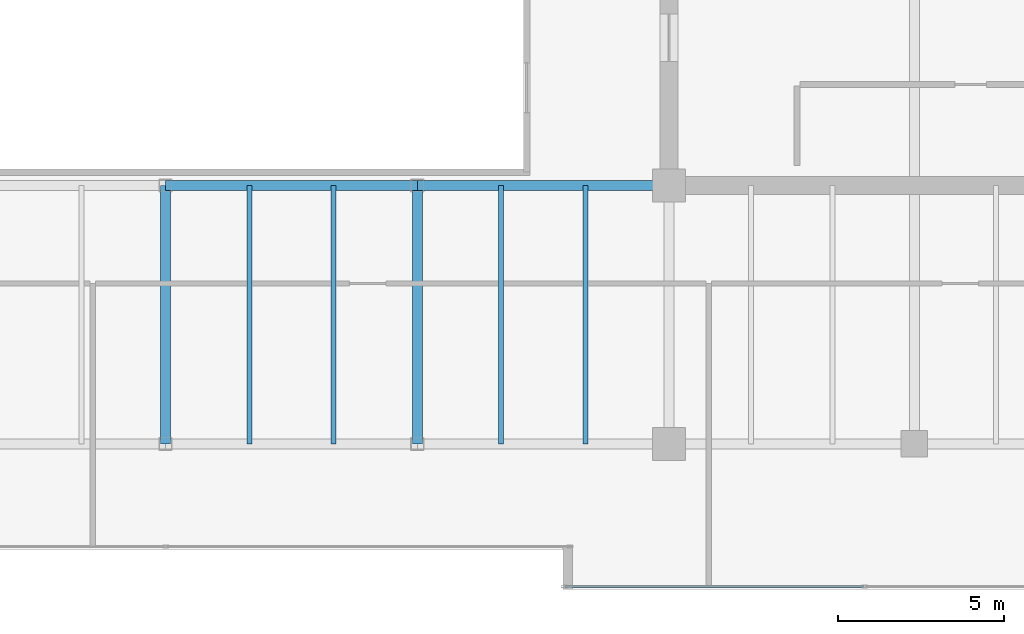
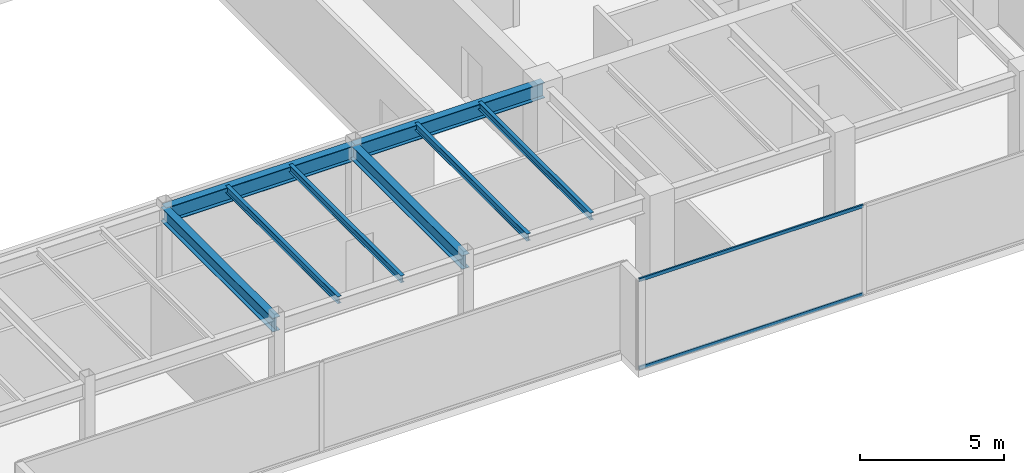
# One storey, part 12 of 33: 8 beams, 2 members, 1 element without a shape of its own.
"""IFC4 building model written with IfcOpenShell, lengths in metres."""

from ifc_helpers import new_model, si_unit, direction, frame, origin, origin_2d, place, context, subcontext, project, spatial, hollow_rectangle, i_section, extrude, source, transform, mapped, material, layer, layer_set, material_profile, profile_set, type_object, type_shapes, element, aggregate, save


model = new_model("IFC4")

# Units and contexts
model_context = context("Model", 3, precision=1e-05, world=origin(), true_north=direction((0.0, 1.0)))
body_context = subcontext(model_context, "Body", "Model", "MODEL_VIEW")
ifc_project = project(units=[si_unit("LENGTHUNIT", "METRE"), si_unit("AREAUNIT", "SQUARE_METRE"), si_unit("VOLUMEUNIT", "CUBIC_METRE"), si_unit("PLANEANGLEUNIT", "RADIAN"), si_unit("MASSUNIT", "GRAM", prefix="KILO")], contexts=[model_context])

# Site, building, storey
site_placement = place(None, origin())
site = spatial("IfcSite", under=ifc_project, at=site_placement, CompositionType="ELEMENT")
building_placement = place(site_placement, origin())
building = spatial("IfcBuilding", under=site, at=building_placement, Name="Haelvirn Gate Laboratories", CompositionType="ELEMENT")
storey_placement = place(building_placement, frame((0.0, 0.0, 217.800048828125)))
storey = spatial("IfcBuildingStorey", under=building, at=storey_placement, Name="L52", CompositionType="ELEMENT", Elevation=217.800048828125)

# Beams
ifc_material_1 = material(Name="Steel SM355", Category="steel")
ifc_material_profile_1 = material_profile(ifc_material_1, i_section(OverallWidth=0.14990234375, OverallDepth=0.300048828125, WebThickness=0.006591796875, FlangeThickness=0.009033203125, at=origin_2d()), Name="H-300x150x6.5x9")
ifc_profile_set_1 = profile_set([ifc_material_profile_1], Name="Steel SM355")
beam_type_1 = type_object("IfcBeamType", Name="BM-J-300", PredefinedType="JOIST", material=ifc_profile_set_1)
shared_shape_1 = source(origin(), body_context, "Body", "SweptSolid", [
    extrude(i_section(OverallWidth=0.14990234375, OverallDepth=0.300048828125, WebThickness=0.006591796875, FlangeThickness=0.009033203125, at=origin_2d()), origin(), (0.0, 0.0, 1.0), 7.800048828125),
])
type_shapes(beam_type_1, [shared_shape_1])
for number, where, z_axis, x_axis, name in (
    (1, (39.929931640625, 7.0, 3.64990234375), (0.0, 1.0, 0.0), (-1.0, 0.0, 0.0), "L52 Composite Lab Joist South X39.93"),
    (2, (42.469970703125, 7.0, 3.64990234375), (0.0, 1.0, 0.0), (-1.0, 0.0, 0.0), "L52 Composite Lab Joist South X42.47"),
    (3, (47.530029296875, 7.0, 3.64990234375), (0.0, 1.0, 0.0), (-1.0, 0.0, 0.0), "L52 Composite Lab Joist South X47.53"),
    (4, (50.070068359375, 7.0, 3.64990234375), (0.0, 1.0, 0.0), (-1.0, 0.0, 0.0), "L52 Composite Lab Joist South X50.07"),
):
    element("IfcBeam", number, at=place(storey_placement, frame(where, z_axis=z_axis, x_axis=x_axis)), inside=storey, type_object=beam_type_1, Name=name, PredefinedType="JOIST", context=body_context, shape_type="MappedRepresentation", body=[
        mapped(shared_shape_1, transform((0.0, 0.0, 0.0), scale=1.0)),
    ])
ifc_material_profile_2 = material_profile(ifc_material_1, i_section(OverallWidth=0.300048828125, OverallDepth=0.587890625, WebThickness=0.011962890625, FlangeThickness=0.02001953125, at=origin_2d()), Name="H-588x300x12x20")
ifc_profile_set_2 = profile_set([ifc_material_profile_2], Name="Steel SM355")
beam_type_2 = type_object("IfcBeamType", Name="BM-G-588", PredefinedType="BEAM", material=ifc_profile_set_2)
shared_shape_2 = source(origin(), body_context, "Body", "SweptSolid", [
    extrude(i_section(OverallWidth=0.300048828125, OverallDepth=0.587890625, WebThickness=0.011962890625, FlangeThickness=0.02001953125, at=origin_2d()), origin(), (0.0, 0.0, 1.0), 7.800048828125),
])
type_shapes(beam_type_2, [shared_shape_2])
for number, where, z_axis, x_axis, name in (
    (5, (37.39990234375, 7.0, 3.505859375), (0.0, 1.0, 0.0), (-1.0, 0.0, 0.0), "L52 Frame Girder X37.4 (7.0-14.8)"),
    (6, (45.0, 7.0, 3.505859375), (0.0, 1.0, 0.0), (-1.0, 0.0, 0.0), "L52 Frame Girder X45.0 (7.0-14.8)"),
):
    element("IfcBeam", number, at=place(storey_placement, frame(where, z_axis=z_axis, x_axis=x_axis)), inside=storey, type_object=beam_type_2, Name=name, PredefinedType="BEAM", context=body_context, shape_type="MappedRepresentation", body=[
        mapped(shared_shape_2, transform((0.0, 0.0, 0.0), scale=1.0)),
    ])
ifc_material_profile_3 = material_profile(ifc_material_1, i_section(OverallWidth=0.300048828125, OverallDepth=0.64990234375, WebThickness=0.012939453125, FlangeThickness=0.02197265625, at=origin_2d()), Name="H-650x300x13x22")
ifc_profile_set_3 = profile_set([ifc_material_profile_3], Name="Steel SM355")
beam_type_3 = type_object("IfcBeamType", Name="BM-G-650", PredefinedType="BEAM", material=ifc_profile_set_3)
shared_shape_3 = source(origin(), body_context, "Body", "SweptSolid", [
    extrude(i_section(OverallWidth=0.300048828125, OverallDepth=0.64990234375, WebThickness=0.012939453125, FlangeThickness=0.02197265625, at=origin_2d()), origin(), (0.0, 0.0, 1.0), 7.60009765625),
])
type_shapes(beam_type_3, [shared_shape_3])
for number, where, z_axis, x_axis, name in (
    (7, (37.39990234375, 14.800048828125, 3.474853515625), (1.0, 0.0, 0.0), (0.0, 1.0, 0.0), "L52 Primary Girder Y14.8 (37.4-45.0)"),
    (8, (45.0, 14.800048828125, 3.474853515625), (1.0, 0.0, 0.0), (0.0, 1.0, 0.0), "L52 Primary Girder Y14.8 (45.0-52.6)"),
):
    element("IfcBeam", number, at=place(storey_placement, frame(where, z_axis=z_axis, x_axis=x_axis)), inside=storey, type_object=beam_type_3, Name=name, PredefinedType="BEAM", context=body_context, shape_type="MappedRepresentation", body=[
        mapped(shared_shape_3, transform((0.0, 0.0, 0.0), scale=1.0)),
    ])

# Curtain wall, members
ifc_material_2 = material(Name="Anodised bronze unitised aluminium & triple low-E glass", Category="aluminium")
ifc_layer = layer(ifc_material_2, 0.176025390625, Name="CW-SYS-4")
ifc_layer_set = layer_set([ifc_layer], Name="Anodised bronze unitised aluminium & triple low-E glass")
curtain_wall_type = type_object("IfcCurtainWallType", Name="CW-SYS-4", PredefinedType="NOTDEFINED", material=ifc_layer_set)
curtain_wall_placement = place(storey_placement, origin())
curtain_wall = element("IfcCurtainWall", 9, at=curtain_wall_placement, inside=storey, type_object=curtain_wall_type, Name="L52 Unitised Curtain Wall CW-L52-P0-E04-1", PredefinedType="NOTDEFINED")
ifc_material_3 = material(Name="Extruded aluminium 6063-T6 (anodised bronze)", Category="aluminium")
ifc_material_profile_4 = material_profile(ifc_material_3, hollow_rectangle(XDim=0.06494140625, YDim=0.139892578125, WallThickness=0.00390625, at=origin_2d()), Name="CWT-140x65x4")
ifc_profile_set_4 = profile_set([ifc_material_profile_4], Name="Extruded aluminium 6063-T6 (anodised bronze)")
member_type = type_object("IfcMemberType", Name="CWT-T140", PredefinedType="USERDEFINED", material=ifc_profile_set_4)
shared_shape_4 = source(origin(), body_context, "Body", "SweptSolid", [
    extrude(hollow_rectangle(XDim=0.06494140625, YDim=0.139892578125, WallThickness=0.00390625, at=origin_2d()), origin(), (0.0, 0.0, 1.0), 8.9951171875),
])
type_shapes(member_type, [shared_shape_4])
member_1_placement = place(storey_placement, frame((49.469970703125, 2.699951171875, 0.032470703125), z_axis=(1.0, 0.0, 0.0), x_axis=(0.0, 1.0, 0.0)))
member_1 = element("IfcMember", 10, at=member_1_placement, type_object=member_type, Name="CW4 transom 1.1", ObjectType="TRANSOM", PredefinedType="USERDEFINED", context=body_context, shape_type="MappedRepresentation", body=[
    mapped(shared_shape_4, transform((0.0, 0.0, 0.0), scale=1.0)),
])
member_2_placement = place(storey_placement, frame((49.469970703125, 2.699951171875, 3.767333984375), z_axis=(1.0, 0.0, 0.0), x_axis=(0.0, 1.0, 0.0)))
member_2 = element("IfcMember", 11, at=member_2_placement, type_object=member_type, Name="CW4 transom 1.2", ObjectType="TRANSOM", PredefinedType="USERDEFINED", context=body_context, shape_type="MappedRepresentation", body=[
    mapped(shared_shape_4, transform((0.0, 0.0, 0.0), scale=1.0)),
])
aggregate(curtain_wall, [member_1, member_2])

save(model, "model.ifc")
